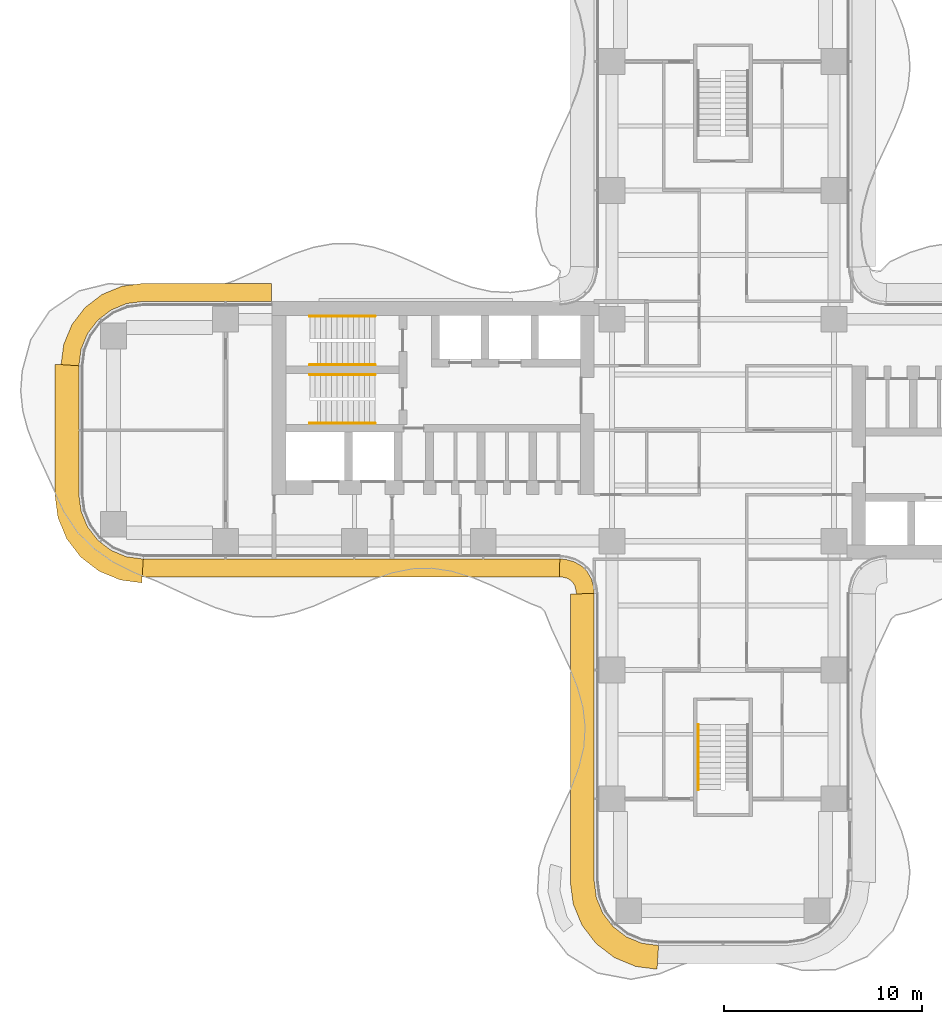
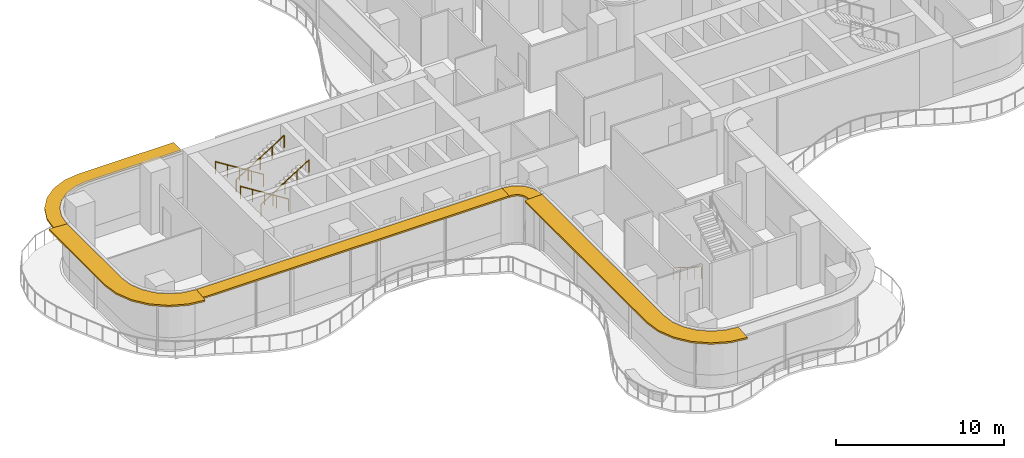
# One storey, part 20 of 21: 5 railings, 5 shading devices.
"""IFC4 building model written with IfcOpenShell, lengths in metres."""

from ifc_helpers import new_model, si_unit, direction, frame, origin, origin_2d, place, context, subcontext, project, spatial, polyline, circle, outline, extrude, source, transform, mapped, material, layer, layer_set, type_object, element, save


model = new_model("IFC4")

# Units and contexts
model_context = context("Model", 3, precision=1e-05, world=origin(), true_north=direction((0.0, 1.0)))
body_context = subcontext(model_context, "Body", "Model", "MODEL_VIEW")
ifc_project = project(units=[si_unit("LENGTHUNIT", "METRE"), si_unit("AREAUNIT", "SQUARE_METRE"), si_unit("VOLUMEUNIT", "CUBIC_METRE"), si_unit("PLANEANGLEUNIT", "RADIAN"), si_unit("MASSUNIT", "GRAM", prefix="KILO")], contexts=[model_context])

# Site, building, storey
site_placement = place(None, origin())
site = spatial("IfcSite", under=ifc_project, at=site_placement, CompositionType="ELEMENT")
building_placement = place(site_placement, origin())
building = spatial("IfcBuilding", under=site, at=building_placement, Name="Trellis Farm Tower", CompositionType="ELEMENT")
storey_placement = place(building_placement, frame((0.0, 0.0, 138.0)))
storey = spatial("IfcBuildingStorey", under=building, at=storey_placement, Name="L29", CompositionType="ELEMENT", Elevation=138.0)

# Railings
ifc_material_1 = material(Name="Stainless steel", Category="steel")
railing_type = type_object("IfcRailingType", Name="STAIR HANDRAIL 900", PredefinedType="HANDRAIL", material=ifc_material_1)
shared_shape_1 = source(origin(), body_context, "Body", "SweptSolid", [
    extrude(circle(Radius=0.02392578125, at=origin_2d()), frame((0.0, 0.0, 0.8759765625), z_axis=(0.0, -0.846319618018, 0.532675421018), x_axis=(1.0, 0.0, 0.0)), (0.0, 0.0, 1.0), 3.89892578125),
    extrude(circle(Radius=0.02099609375, at=origin_2d()), origin(), (0.0, 0.0, 1.0), 0.851806640625),
    extrude(circle(Radius=0.02099609375, at=origin_2d()), frame((0.0, -0.824951171875, 0.519287109375)), (0.0, 0.0, 1.0), 0.851806640625),
    extrude(circle(Radius=0.02099609375, at=origin_2d()), frame((0.0, -1.64990234375, 1.03857421875)), (0.0, 0.0, 1.0), 0.851806640625),
    extrude(circle(Radius=0.02099609375, at=origin_2d()), frame((0.0, -2.474853515625, 1.5576171875)), (0.0, 0.0, 1.0), 0.851806640625),
    extrude(circle(Radius=0.02099609375, at=origin_2d()), frame((0.0, -3.2998046875, 2.076904296875)), (0.0, 0.0, 1.0), 0.851806640625),
])
railing_placement = place(storey_placement, frame((-1.25, -14.85009765625, 0.173095703125)))
element("IfcRailing", 1, at=railing_placement, inside=storey, type_object=railing_type, Name="Stair handrail", PredefinedType="HANDRAIL", context=body_context, shape_type="MappedRepresentation", body=[
    mapped(shared_shape_1, transform((0.0, 0.0, 0.0))),
])
shared_shape_2 = source(origin(), body_context, "Body", "SweptSolid", [
    extrude(circle(Radius=0.02392578125, at=origin_2d()), frame((0.0, 0.0, 0.8759765625), z_axis=(0.846337383501, 0.0, 0.532647194011), x_axis=(0.0, 1.0, 0.0)), (0.0, 0.0, 1.0), 3.899169921875),
    extrude(circle(Radius=0.02099609375, at=origin_2d()), origin(), (0.0, 0.0, 1.0), 0.851806640625),
    extrude(circle(Radius=0.02099609375, at=origin_2d()), frame((0.824951171875, 0.0, 0.519287109375)), (0.0, 0.0, 1.0), 0.851806640625),
    extrude(circle(Radius=0.02099609375, at=origin_2d()), frame((1.64990234375, 0.0, 1.03857421875)), (0.0, 0.0, 1.0), 0.851806640625),
    extrude(circle(Radius=0.02099609375, at=origin_2d()), frame((2.47509765625, 0.0, 1.5576171875)), (0.0, 0.0, 1.0), 0.851806640625),
    extrude(circle(Radius=0.02099609375, at=origin_2d()), frame((3.300048828125, 0.0, 2.076904296875)), (0.0, 0.0, 1.0), 0.851806640625),
])
for number, where, name in (
    (2, (-20.85009765625, 3.300048828125, 2.423095703125), "Stair handrail"),
    (3, (-20.85009765625, 0.35009765625, 2.423095703125), "Stair handrail"),
):
    element("IfcRailing", number, at=place(storey_placement, frame(where)), inside=storey, type_object=railing_type, Name=name, PredefinedType="HANDRAIL", context=body_context, shape_type="MappedRepresentation", body=[
        mapped(shared_shape_2, transform((0.0, 0.0, 0.0))),
    ])
shared_shape_3 = source(origin(), body_context, "Body", "SweptSolid", [
    extrude(circle(Radius=0.02392578125, at=origin_2d()), frame((0.0, 0.0, 0.8759765625), z_axis=(-0.846337383501, 0.0, 0.532647194011), x_axis=(0.0, -1.0, 0.0)), (0.0, 0.0, 1.0), 3.899169921875),
    extrude(circle(Radius=0.02099609375, at=origin_2d()), origin(), (0.0, 0.0, 1.0), 0.851806640625),
    extrude(circle(Radius=0.02099609375, at=origin_2d()), frame((-0.824951171875, 0.0, 0.519287109375)), (0.0, 0.0, 1.0), 0.851806640625),
    extrude(circle(Radius=0.02099609375, at=origin_2d()), frame((-1.64990234375, 0.0, 1.03857421875)), (0.0, 0.0, 1.0), 0.851806640625),
    extrude(circle(Radius=0.02099609375, at=origin_2d()), frame((-2.47509765625, 0.0, 1.5576171875)), (0.0, 0.0, 1.0), 0.851806640625),
    extrude(circle(Radius=0.02099609375, at=origin_2d()), frame((-3.300048828125, 0.0, 2.076904296875)), (0.0, 0.0, 1.0), 0.851806640625),
])
for number, where, name in (
    (4, (-17.550048828125, 5.75, 0.173095703125), "Stair handrail"),
    (5, (-17.550048828125, 2.800048828125, 0.173095703125), "Stair handrail"),
):
    element("IfcRailing", number, at=place(storey_placement, frame(where)), inside=storey, type_object=railing_type, Name=name, PredefinedType="HANDRAIL", context=body_context, shape_type="MappedRepresentation", body=[
        mapped(shared_shape_3, transform((0.0, 0.0, 0.0))),
    ])

# Shading devices
ifc_material_2 = material(Name="Aluminium extrusion 6063-T6", Category="aluminium")
ifc_layer_1 = layer(ifc_material_2, 0.1201171875)
ifc_layer_set_1 = layer_set([ifc_layer_1], Name="SUNSHADE BLADE 900")
shading_device_type_1 = type_object("IfcShadingDeviceType", Name="SUNSHADE BLADE 900", PredefinedType="USERDEFINED", material=ifc_layer_set_1)
shared_shape_4 = source(origin(), body_context, "Body", "SweptSolid", [
    extrude(outline(polyline([(-29.30908203125, -7.39990234375), (-8.2607421875, -7.39990234375), (-8.2314453125, -6.5), (-29.25, -6.5), (-29.30908203125, -7.39990234375)])), origin(), (0.0, 0.0, 1.0), 0.119873046875),
])
placement = place(storey_placement, frame((0.0, 0.0, 4.090087890625)))
element("IfcShadingDevice", 6, at=placement, inside=storey, type_object=shading_device_type_1, Name="SD1 001", ObjectType="SUNSHADE", PredefinedType="USERDEFINED", context=body_context, shape_type="MappedRepresentation", body=[
    mapped(shared_shape_4, transform((0.0, 0.0, 0.0))),
])
shared_shape_5 = source(origin(), body_context, "Body", "SweptSolid", [
    extrude(outline(polyline([(-8.2607421875, -7.39990234375), (-8.107666015625, -7.409912109375), (-8.091552734375, -7.412109375), (-7.85595703125, -7.475341796875), (-7.697021484375, -7.567138671875), (-7.567138671875, -7.697021484375), (-7.475341796875, -7.85595703125), (-7.412109375, -8.091552734375), (-7.409912109375, -8.107666015625), (-7.39990234375, -8.2607421875), (-6.5, -8.2314453125), (-6.513916015625, -8.01953125), (-6.527587890625, -7.91552734375), (-6.63671875, -7.508544921875), (-6.846923828125, -7.144287109375), (-7.144287109375, -6.846923828125), (-7.508544921875, -6.63671875), (-7.91552734375, -6.527587890625), (-8.01953125, -6.513916015625), (-8.2314453125, -6.5), (-8.2607421875, -7.39990234375)])), origin(), (0.0, 0.0, 1.0), 0.119873046875),
])
element("IfcShadingDevice", 7, at=placement, inside=storey, type_object=shading_device_type_1, Name="SD1 002", ObjectType="SUNSHADE", PredefinedType="USERDEFINED", context=body_context, shape_type="MappedRepresentation", body=[
    mapped(shared_shape_5, transform((0.0, 0.0, 0.0))),
])
shared_shape_6 = source(origin(), body_context, "Body", "SweptSolid", [
    extrude(outline(polyline([(-22.780029296875, 7.39990234375), (-29.30908203125, 7.39990234375), (-30.326171875, 7.26611328125), (-31.328857421875, 6.850830078125), (-32.18994140625, 6.18994140625), (-32.850830078125, 5.328857421875), (-33.26611328125, 4.326171875), (-33.39990234375, 3.30908203125), (-32.5, 3.25), (-32.38916015625, 4.091064453125), (-32.064697265625, 4.875), (-31.548095703125, 5.548095703125), (-30.875, 6.064697265625), (-30.091064453125, 6.38916015625), (-29.25, 6.5), (-22.780029296875, 6.5), (-22.780029296875, 7.39990234375)])), origin(), (0.0, 0.0, 1.0), 0.119873046875),
])
element("IfcShadingDevice", 8, at=placement, inside=storey, type_object=shading_device_type_1, Name="SD1 015", ObjectType="SUNSHADE", PredefinedType="USERDEFINED", context=body_context, shape_type="MappedRepresentation", body=[
    mapped(shared_shape_6, transform((0.0, 0.0, 0.0))),
])
ifc_layer_2 = layer(ifc_material_2, 0.1201171875)
ifc_layer_set_2 = layer_set([ifc_layer_2], Name="SUNSHADE BLADE 1200")
shading_device_type_2 = type_object("IfcShadingDeviceType", Name="SUNSHADE BLADE 1200", PredefinedType="USERDEFINED", material=ifc_layer_set_2)
shared_shape_7 = source(origin(), body_context, "Body", "SweptSolid", [
    extrude(outline(polyline([(-33.699951171875, 3.32861328125), (-33.699951171875, -3.32861328125), (-33.558349609375, -4.404541015625), (-33.11279296875, -5.480224609375), (-32.404052734375, -6.404052734375), (-31.480224609375, -7.11279296875), (-30.404541015625, -7.558349609375), (-29.32861328125, -7.699951171875), (-29.25, -6.5), (-30.091064453125, -6.38916015625), (-30.875, -6.064697265625), (-31.548095703125, -5.548095703125), (-32.064697265625, -4.875), (-32.38916015625, -4.091064453125), (-32.5, -3.25), (-32.5, 3.25), (-33.699951171875, 3.32861328125)])), origin(), (0.0, 0.0, 1.0), 0.119873046875),
])
element("IfcShadingDevice", 9, at=placement, inside=storey, type_object=shading_device_type_2, Name="SD2 016", ObjectType="SUNSHADE", PredefinedType="USERDEFINED", context=body_context, shape_type="MappedRepresentation", body=[
    mapped(shared_shape_7, transform((0.0, 0.0, 0.0))),
])
shared_shape_8 = source(origin(), body_context, "Body", "SweptSolid", [
    extrude(outline(polyline([(-7.699951171875, -8.270751953125), (-7.699951171875, -22.82861328125), (-7.558349609375, -23.904541015625), (-7.11279296875, -24.980224609375), (-6.404052734375, -25.904052734375), (-5.480224609375, -26.61279296875), (-4.404541015625, -27.058349609375), (-3.32861328125, -27.199951171875), (-3.25, -26.0), (-4.091064453125, -25.88916015625), (-4.875, -25.564697265625), (-5.548095703125, -25.048095703125), (-6.064697265625, -24.375), (-6.38916015625, -23.591064453125), (-6.5, -22.75), (-6.5, -8.2314453125), (-7.699951171875, -8.270751953125)])), origin(), (0.0, 0.0, 1.0), 0.119873046875),
])
element("IfcShadingDevice", 10, at=placement, inside=storey, type_object=shading_device_type_2, Name="SD2 003", ObjectType="SUNSHADE", PredefinedType="USERDEFINED", context=body_context, shape_type="MappedRepresentation", body=[
    mapped(shared_shape_8, transform((0.0, 0.0, 0.0))),
])

save(model, "model.ifc")
